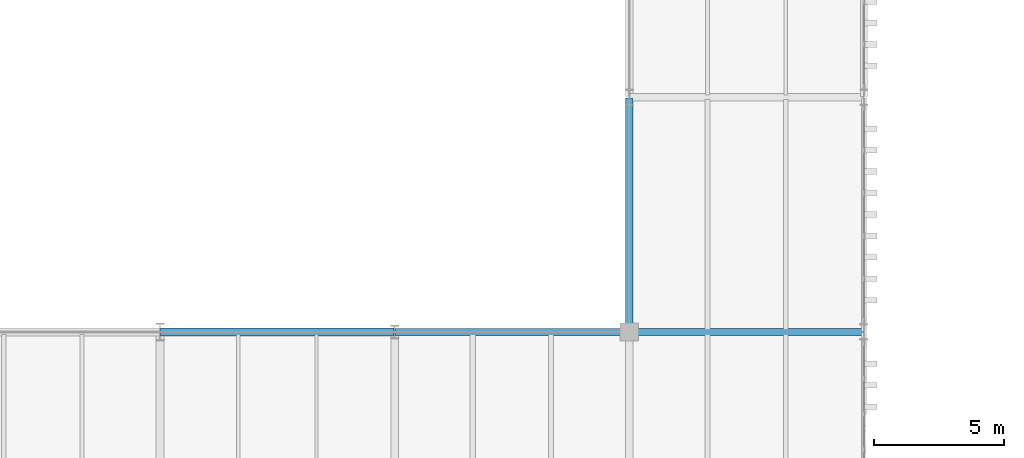
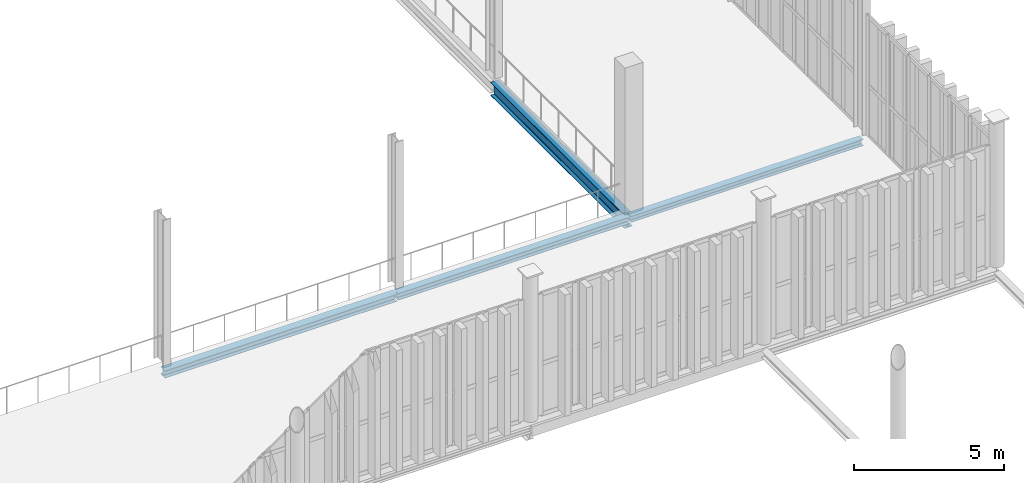
# One storey, part 42 of 211: 4 beams.
"""IFC4 building model written with IfcOpenShell, lengths in metres."""

from ifc_helpers import new_model, si_unit, direction, frame, origin, origin_2d, place, context, subcontext, project, spatial, i_section, extrude, material, material_profile, profile_set, type_object, element, save


model = new_model("IFC4")

# Units and contexts
model_context = context("Model", 3, precision=1e-05, world=origin(), true_north=direction((0.0, 1.0)))
body_context = subcontext(model_context, "Body", "Model", "MODEL_VIEW")
ifc_project = project(units=[si_unit("LENGTHUNIT", "METRE"), si_unit("AREAUNIT", "SQUARE_METRE"), si_unit("VOLUMEUNIT", "CUBIC_METRE"), si_unit("PLANEANGLEUNIT", "RADIAN"), si_unit("MASSUNIT", "GRAM", prefix="KILO")], contexts=[model_context])

# Site, building, storey
site_placement = place(None, origin())
site = spatial("IfcSite", under=ifc_project, at=site_placement, CompositionType="ELEMENT")
building_placement = place(site_placement, origin())
building = spatial("IfcBuilding", under=site, at=building_placement, Name="Barlavento Convention Centre", CompositionType="ELEMENT")
storey_placement = place(building_placement, frame((0.0, 0.0, 6.0)))
storey = spatial("IfcBuildingStorey", under=building, at=storey_placement, Name="L01", CompositionType="ELEMENT", Elevation=6.0)

# Beams
ifc_material = material(Name="Steel S355", Category="steel")
ifc_material_profile_1 = material_profile(ifc_material, i_section(OverallWidth=0.300048828125, OverallDepth=0.5400390625, WebThickness=0.012451171875, FlangeThickness=0.02392578125, FilletRadius=0.027099609375, at=origin_2d()), Name="HEA 550")
ifc_profile_set_1 = profile_set([ifc_material_profile_1], Name="Steel S355")
beam_type_1 = type_object("IfcBeamType", Name="STR-BM-PRI-HEA550", PredefinedType="BEAM", material=ifc_profile_set_1)
beam_1_placement = place(storey_placement, frame((54.0, 18.02001953125, -0.570068359375), z_axis=(0.0, 1.0, 0.0), x_axis=(-1.0, 0.0, 0.0)))
element("IfcBeam", 1, at=beam_1_placement, inside=storey, type_object=beam_type_1, Name="L01 grid girder BG19", PredefinedType="BEAM", context=body_context, shape_type="SweptSolid", body=[
    extrude(i_section(OverallWidth=0.300048828125, OverallDepth=0.5400390625, WebThickness=0.012451171875, FlangeThickness=0.02392578125, FilletRadius=0.027099609375, at=origin_2d()), origin(), (0.0, 0.0, 1.0), 8.9599609375),
])
ifc_material_profile_2 = material_profile(ifc_material, i_section(OverallWidth=0.260009765625, OverallDepth=0.260009765625, WebThickness=0.010009765625, FlangeThickness=0.017578125, FilletRadius=0.02392578125, at=origin_2d()), Name="HEB 260")
ifc_profile_set_2 = profile_set([ifc_material_profile_2], Name="Steel S355")
beam_type_2 = type_object("IfcBeamType", Name="STR-BM-PRI-HEB260", PredefinedType="BEAM", material=ifc_profile_set_2)
beam_2_placement = place(storey_placement, frame((54.02001953125, 18.0, -0.429931640625), z_axis=(1.0, 0.0, 0.0), x_axis=(0.0, 1.0, 0.0)))
element("IfcBeam", 2, at=beam_2_placement, inside=storey, type_object=beam_type_2, Name="L01 primary girder BG16", PredefinedType="BEAM", context=body_context, shape_type="SweptSolid", body=[
    extrude(i_section(OverallWidth=0.260009765625, OverallDepth=0.260009765625, WebThickness=0.010009765625, FlangeThickness=0.017578125, FilletRadius=0.02392578125, at=origin_2d()), origin(), (0.0, 0.0, 1.0), 8.9599609375),
])
ifc_material_profile_3 = material_profile(ifc_material, i_section(OverallWidth=0.280029296875, OverallDepth=0.280029296875, WebThickness=0.010498046875, FlangeThickness=0.01806640625, FilletRadius=0.02392578125, at=origin_2d()), Name="HEB 280")
ifc_profile_set_3 = profile_set([ifc_material_profile_3], Name="Steel S355")
beam_type_3 = type_object("IfcBeamType", Name="STR-BM-PRI-HEB280", PredefinedType="BEAM", material=ifc_profile_set_3)
beam_3_placement = place(storey_placement, frame((45.02001953125, 18.0, -0.43994140625), z_axis=(1.0, 0.0, 0.0), x_axis=(0.0, 1.0, 0.0)))
element("IfcBeam", 3, at=beam_3_placement, inside=storey, type_object=beam_type_3, Name="L01 primary girder BG15", PredefinedType="BEAM", context=body_context, shape_type="SweptSolid", body=[
    extrude(i_section(OverallWidth=0.280029296875, OverallDepth=0.280029296875, WebThickness=0.010498046875, FlangeThickness=0.01806640625, FilletRadius=0.02392578125, at=origin_2d()), origin(), (0.0, 0.0, 1.0), 8.9599609375),
])
ifc_material_profile_4 = material_profile(ifc_material, i_section(OverallWidth=0.300048828125, OverallDepth=0.300048828125, WebThickness=0.010986328125, FlangeThickness=0.01904296875, FilletRadius=0.027099609375, at=origin_2d()), Name="HEB 300")
ifc_profile_set_4 = profile_set([ifc_material_profile_4], Name="Steel S355")
beam_type_4 = type_object("IfcBeamType", Name="STR-BM-PRI-HEB300", PredefinedType="BEAM", material=ifc_profile_set_4)
beam_4_placement = place(storey_placement, frame((36.02001953125, 18.0, -0.449951171875), z_axis=(1.0, 0.0, 0.0), x_axis=(0.0, 1.0, 0.0)))
element("IfcBeam", 4, at=beam_4_placement, inside=storey, type_object=beam_type_4, Name="L01 primary girder BG14", PredefinedType="BEAM", context=body_context, shape_type="SweptSolid", body=[
    extrude(i_section(OverallWidth=0.300048828125, OverallDepth=0.300048828125, WebThickness=0.010986328125, FlangeThickness=0.01904296875, FilletRadius=0.027099609375, at=origin_2d()), origin(), (0.0, 0.0, 1.0), 8.9599609375),
])

save(model, "model.ifc")
